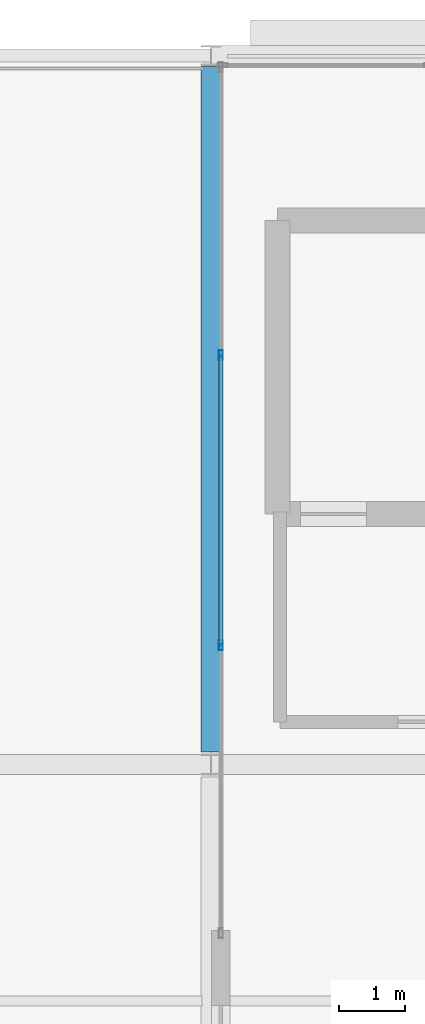
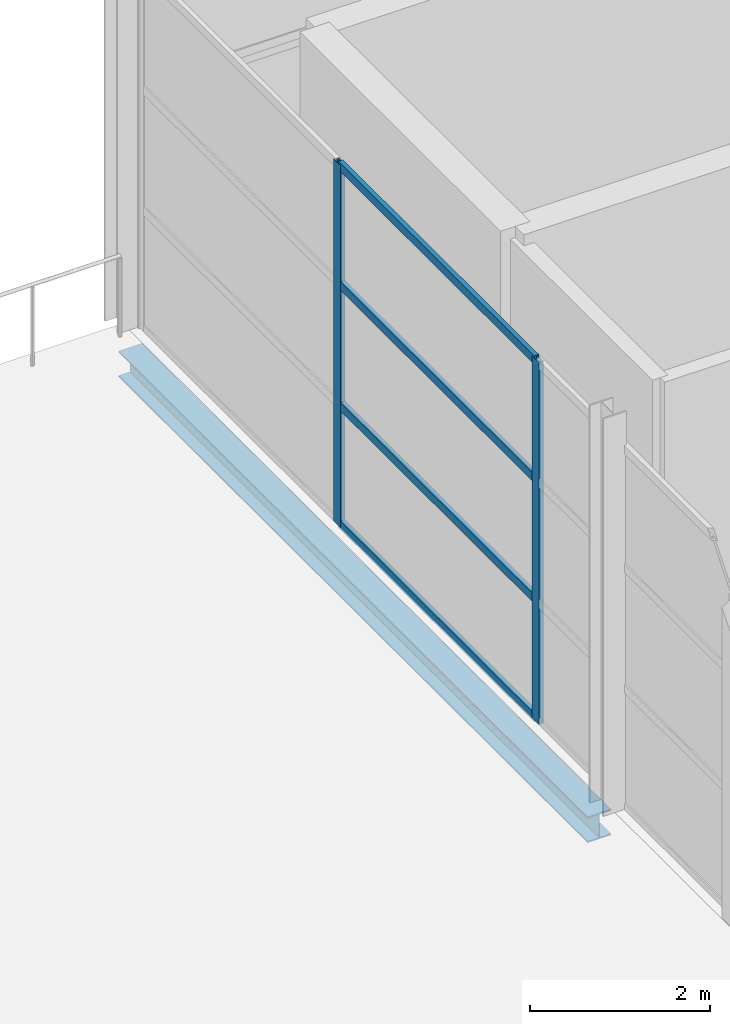
# One storey, part 18 of 34: 6 members, 1 beam, 1 element without a shape of its own.
"""IFC4 building model written with IfcOpenShell, lengths in metres."""

from ifc_helpers import new_model, si_unit, direction, frame, origin, origin_2d, place, context, subcontext, project, spatial, hollow_rectangle, i_section, extrude, material, layer, layer_set, material_profile, profile_set, type_object, element, aggregate, save


model = new_model("IFC4")

# Units and contexts
model_context = context("Model", 3, precision=1e-05, world=origin(), true_north=direction((0.0, 1.0)))
body_context = subcontext(model_context, "Body", "Model", "MODEL_VIEW")
ifc_project = project(units=[si_unit("LENGTHUNIT", "METRE"), si_unit("AREAUNIT", "SQUARE_METRE"), si_unit("VOLUMEUNIT", "CUBIC_METRE"), si_unit("PLANEANGLEUNIT", "RADIAN"), si_unit("MASSUNIT", "GRAM", prefix="KILO")], contexts=[model_context])

# Site, building, storey
site_placement = place(None, origin())
site = spatial("IfcSite", under=ifc_project, at=site_placement, CompositionType="ELEMENT")
building_placement = place(site_placement, origin())
building = spatial("IfcBuilding", under=site, at=building_placement, Name="Tamarisk Ironworks Central Station", CompositionType="ELEMENT")
storey_placement = place(building_placement, frame((0.0, 0.0, 25.199951171875)))
storey = spatial("IfcBuildingStorey", under=building, at=storey_placement, Name="L05", CompositionType="ELEMENT", Elevation=25.199951171875)

# Beam
ifc_material_1 = material(Name="Structural steel S355J2", Category="steel")
ifc_material_profile_1 = material_profile(ifc_material_1, i_section(OverallWidth=0.300048828125, OverallDepth=0.35009765625, WebThickness=0.010009765625, FlangeThickness=0.017578125, at=origin_2d()), Name="HEA 360")
ifc_profile_set_1 = profile_set([ifc_material_profile_1], Name="Structural steel S355J2")
beam_type = type_object("IfcBeamType", Name="BM-G08", PredefinedType="BEAM", material=ifc_profile_set_1)
beam_placement = place(storey_placement, frame((140.0, 111.7880859375, -0.39501953125), z_axis=(0.0, 1.0, 0.0), x_axis=(-1.0, 0.0, 0.0)))
element("IfcBeam", 1, at=beam_placement, inside=storey, type_object=beam_type, Name="L05 primary girder Y-0775", PredefinedType="BEAM", context=body_context, shape_type="SweptSolid", body=[
    extrude(i_section(OverallWidth=0.300048828125, OverallDepth=0.35009765625, WebThickness=0.010009765625, FlangeThickness=0.017578125, at=origin_2d()), origin(), (0.0, 0.0, 1.0), 10.44384765625),
])

# Curtain wall, members
ifc_material_2 = material(Name="Anodized aluminium alloy 6063-T6", Category="aluminium")
ifc_layer = layer(ifc_material_2, 0.179931640625)
ifc_layer_set = layer_set([ifc_layer], Name="Anodized aluminium alloy 6063-T6")
curtain_wall_type = type_object("IfcCurtainWallType", Name="CW-20", PredefinedType="USERDEFINED", material=ifc_layer_set)
curtain_wall_placement = place(storey_placement, origin())
curtain_wall = element("IfcCurtainWall", 2, at=curtain_wall_placement, inside=storey, type_object=curtain_wall_type, Name="Crown terrace overlook curtain wall L05-159", ObjectType="GLAZED CURTAIN WALL", PredefinedType="USERDEFINED")
ifc_material_profile_2 = material_profile(ifc_material_2, hollow_rectangle(XDim=0.06005859375, YDim=0.14990234375, WallThickness=0.00341796875, at=origin_2d()), Name="ALUM 150x60")
ifc_profile_set_2 = profile_set([ifc_material_profile_2], Name="Anodized aluminium alloy 6063-T6")
member_type_1 = type_object("IfcMemberType", Name="CWM-03", PredefinedType="MULLION", material=ifc_profile_set_2)
member_1_placement = place(storey_placement, frame((140.14990234375, 113.417236328125, 0.0), z_axis=(0.0, 0.0, 1.0), x_axis=(-1.0, 0.0, 0.0)))
member_1 = element("IfcMember", 3, at=member_1_placement, type_object=member_type_1, Name="CW20 mullion 2", PredefinedType="MULLION", context=body_context, shape_type="SweptSolid", body=[
    extrude(hollow_rectangle(XDim=0.06005859375, YDim=0.14990234375, WallThickness=0.00341796875, at=origin_2d()), origin(), (0.0, 0.0, 1.0), 4.920166015625),
])
member_2_placement = place(storey_placement, frame((140.14990234375, 117.834716796875, 0.0), z_axis=(0.0, 0.0, 1.0), x_axis=(-1.0, 0.0, 0.0)))
member_2 = element("IfcMember", 4, at=member_2_placement, type_object=member_type_1, Name="CW20 mullion 3", PredefinedType="MULLION", context=body_context, shape_type="SweptSolid", body=[
    extrude(hollow_rectangle(XDim=0.06005859375, YDim=0.14990234375, WallThickness=0.00341796875, at=origin_2d()), origin(), (0.0, 0.0, 1.0), 4.920166015625),
])
ifc_material_profile_3 = material_profile(ifc_material_2, hollow_rectangle(XDim=0.06005859375, YDim=0.114990234375, WallThickness=0.00341796875, at=origin_2d()), Name="ALUM 115x60")
ifc_profile_set_3 = profile_set([ifc_material_profile_3], Name="Anodized aluminium alloy 6063-T6")
member_type_2 = type_object("IfcMemberType", Name="CWT-03", PredefinedType="USERDEFINED", material=ifc_profile_set_3)
member_3_placement = place(storey_placement, frame((140.14990234375, 113.443359375, 0.030029296875), z_axis=(0.0, 1.0, 0.0), x_axis=(-1.0, 0.0, 0.0)))
member_3 = element("IfcMember", 5, at=member_3_placement, type_object=member_type_2, Name="CW20 transom 2.1", ObjectType="TRANSOM", PredefinedType="USERDEFINED", context=body_context, shape_type="SweptSolid", body=[
    extrude(hollow_rectangle(XDim=0.06005859375, YDim=0.114990234375, WallThickness=0.00341796875, at=origin_2d()), origin(), (0.0, 0.0, 1.0), 4.365234375),
])
member_4_placement = place(storey_placement, frame((140.14990234375, 113.443359375, 1.64013671875), z_axis=(0.0, 1.0, 0.0), x_axis=(-1.0, 0.0, 0.0)))
member_4 = element("IfcMember", 6, at=member_4_placement, type_object=member_type_2, Name="CW20 transom 2.2", ObjectType="TRANSOM", PredefinedType="USERDEFINED", context=body_context, shape_type="SweptSolid", body=[
    extrude(hollow_rectangle(XDim=0.06005859375, YDim=0.114990234375, WallThickness=0.00341796875, at=origin_2d()), origin(), (0.0, 0.0, 1.0), 4.365234375),
])
member_5_placement = place(storey_placement, frame((140.14990234375, 113.443359375, 3.280029296875), z_axis=(0.0, 1.0, 0.0), x_axis=(-1.0, 0.0, 0.0)))
member_5 = element("IfcMember", 7, at=member_5_placement, type_object=member_type_2, Name="CW20 transom 2.3", ObjectType="TRANSOM", PredefinedType="USERDEFINED", context=body_context, shape_type="SweptSolid", body=[
    extrude(hollow_rectangle(XDim=0.06005859375, YDim=0.114990234375, WallThickness=0.00341796875, at=origin_2d()), origin(), (0.0, 0.0, 1.0), 4.365234375),
])
member_6_placement = place(storey_placement, frame((140.14990234375, 113.443359375, 4.89013671875), z_axis=(0.0, 1.0, 0.0), x_axis=(-1.0, 0.0, 0.0)))
member_6 = element("IfcMember", 8, at=member_6_placement, type_object=member_type_2, Name="CW20 transom 2.4", ObjectType="TRANSOM", PredefinedType="USERDEFINED", context=body_context, shape_type="SweptSolid", body=[
    extrude(hollow_rectangle(XDim=0.06005859375, YDim=0.114990234375, WallThickness=0.00341796875, at=origin_2d()), origin(), (0.0, 0.0, 1.0), 4.365234375),
])
aggregate(curtain_wall, [member_1, member_2, member_3, member_4, member_5, member_6])

save(model, "model.ifc")
